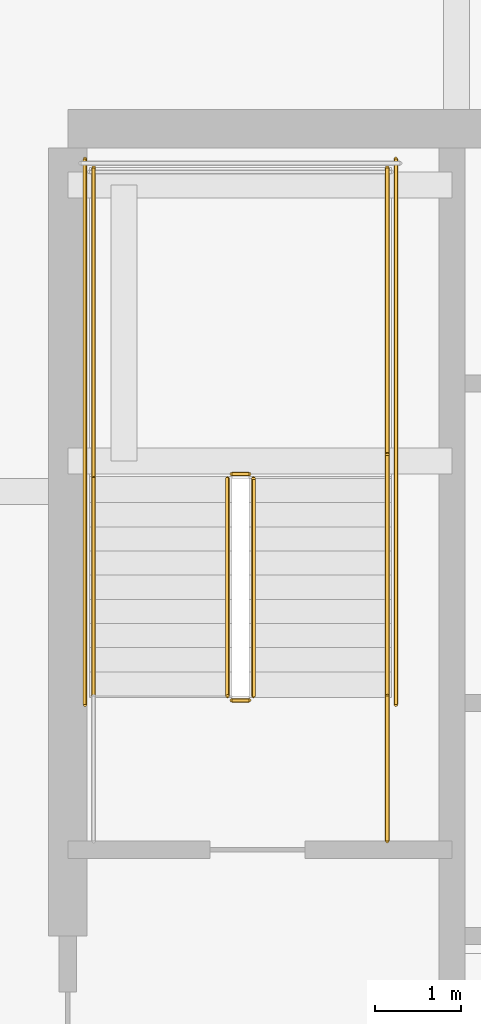
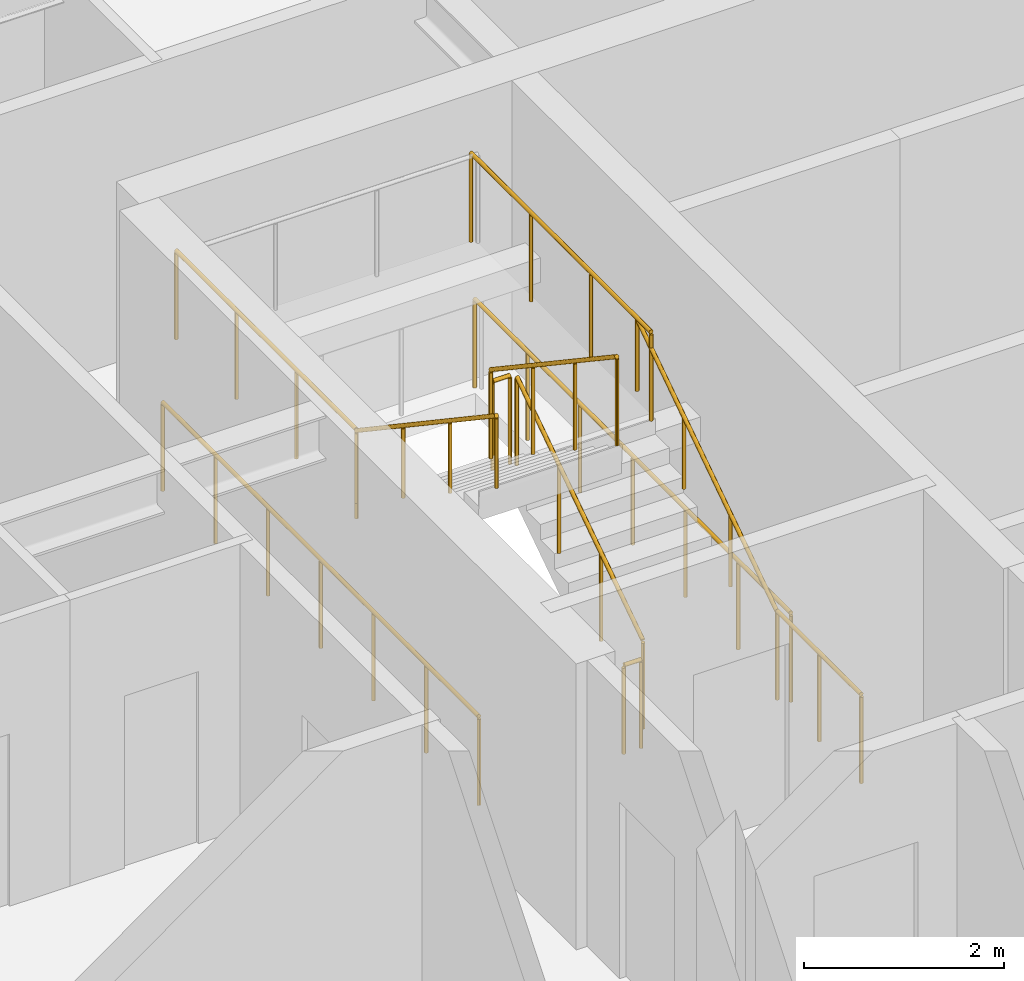
# One storey, part 35 of 38: 11 railings.
"""IFC4 building model written with IfcOpenShell, lengths in metres."""

from ifc_helpers import new_model, si_unit, direction, frame, origin, origin_2d, place, context, subcontext, project, spatial, circle, extrude, material, type_object, element, save


model = new_model("IFC4")

# Units and contexts
model_context = context("Model", 3, precision=1e-05, world=origin(), true_north=direction((0.0, 1.0)))
body_context = subcontext(model_context, "Body", "Model", "MODEL_VIEW")
ifc_project = project(units=[si_unit("LENGTHUNIT", "METRE"), si_unit("AREAUNIT", "SQUARE_METRE"), si_unit("VOLUMEUNIT", "CUBIC_METRE"), si_unit("PLANEANGLEUNIT", "RADIAN"), si_unit("MASSUNIT", "GRAM", prefix="KILO")], contexts=[model_context])

# Site, building, storey
site_placement = place(None, origin())
site = spatial("IfcSite", under=ifc_project, at=site_placement, CompositionType="ELEMENT")
building_placement = place(site_placement, origin())
building = spatial("IfcBuilding", under=site, at=building_placement, Name="Serunith Strait Residences", CompositionType="ELEMENT")
storey_placement = place(building_placement, frame((0.0, 0.0, 67.949951171875)))
storey = spatial("IfcBuildingStorey", under=building, at=storey_placement, Name="L16", CompositionType="ELEMENT", Elevation=67.949951171875)

# Railings
ifc_material = material(Name="Brushed stainless steel 316L", Category="steel")
railing_type_1 = type_object("IfcRailingType", Name="RLG-STAIR-GUARD", PredefinedType="BALUSTRADE", material=ifc_material)
railing_1_placement = place(storey_placement, frame((25.550048828125, 27.030029296875, 0.1875)))
element("IfcRailing", 1, at=railing_1_placement, inside=storey, type_object=railing_type_1, Name="L16 ST-1 stair guard 1", PredefinedType="BALUSTRADE", context=body_context, shape_type="SweptSolid", body=[
    extrude(circle(Radius=0.02392578125, at=origin_2d()), frame((0.0, 0.001708984375, 1.0771484375), z_axis=(0.0, 0.830909170722, 0.55640807867), x_axis=(-1.0, 0.0, 0.0)), (0.0, 0.0, 1.0), 3.02880859375),
    extrude(circle(Radius=0.02099609375, at=origin_2d()), origin(), (0.0, 0.0, 1.0), 1.050048828125),
    extrude(circle(Radius=0.02099609375, at=origin_2d()), frame((0.0, 0.840087890625, 0.5625)), (0.0, 0.0, 1.0), 1.050048828125),
    extrude(circle(Radius=0.02099609375, at=origin_2d()), frame((0.0, 1.679931640625, 1.125)), (0.0, 0.0, 1.0), 1.050048828125),
    extrude(circle(Radius=0.02099609375, at=origin_2d()), frame((0.0, 2.52001953125, 1.6875)), (0.0, 0.0, 1.0), 1.050048828125),
])
railing_2_placement = place(storey_placement, frame((25.5, 29.60009765625, 1.875)))
element("IfcRailing", 2, at=railing_2_placement, inside=storey, type_object=railing_type_1, Name="L16 ST-1 stair guard 2", PredefinedType="BALUSTRADE", context=body_context, shape_type="SweptSolid", body=[
    extrude(circle(Radius=0.02392578125, at=origin_2d()), frame((-0.001953125, 0.0, 1.076171875), z_axis=(-1.0, 0.0, 0.0), x_axis=(0.0, -1.0, 0.0)), (0.0, 0.0, 1.0), 0.196044921875),
    extrude(circle(Radius=0.02099609375, at=origin_2d()), origin(), (0.0, 0.0, 1.0), 1.050048828125),
    extrude(circle(Radius=0.02099609375, at=origin_2d()), frame((-0.199951171875, 0.0, 0.0)), (0.0, 0.0, 1.0), 1.050048828125),
])
for number, where, name in (
    (3, (27.10009765625, 29.550048828125, 1.875), "L16 ST-1 stair guard 3"),
    (4, (23.699951171875, 29.550048828125, 1.875), "L16 ST-1 stair guard 4"),
):
    element("IfcRailing", number, at=place(storey_placement, frame(where)), inside=storey, type_object=railing_type_1, Name=name, PredefinedType="BALUSTRADE", context=body_context, shape_type="SweptSolid", body=[
        extrude(circle(Radius=0.02392578125, at=origin_2d()), frame((0.0, 0.001953125, 1.076171875), z_axis=(0.0, 1.0, 0.0), x_axis=(-1.0, 0.0, 0.0)), (0.0, 0.0, 1.0), 3.595947265625),
        extrude(circle(Radius=0.02099609375, at=origin_2d()), origin(), (0.0, 0.0, 1.0), 1.050048828125),
        extrude(circle(Radius=0.02099609375, at=origin_2d()), frame((0.0, 1.199951171875, 0.0)), (0.0, 0.0, 1.0), 1.050048828125),
        extrude(circle(Radius=0.02099609375, at=origin_2d()), frame((0.0, 2.39990234375, 0.0)), (0.0, 0.0, 1.0), 1.050048828125),
        extrude(circle(Radius=0.02099609375, at=origin_2d()), frame((0.0, 3.599853515625, 0.0)), (0.0, 0.0, 1.0), 1.050048828125),
    ])
railing_3_placement = place(storey_placement, frame((25.25, 29.550048828125, 2.0625)))
element("IfcRailing", 5, at=railing_3_placement, inside=storey, type_object=railing_type_1, Name="L16 ST-1 stair guard 6", PredefinedType="BALUSTRADE", context=body_context, shape_type="SweptSolid", body=[
    extrude(circle(Radius=0.02392578125, at=origin_2d()), frame((0.0, -0.001708984375, 1.0771484375), z_axis=(0.0, -0.830909170722, 0.55640807867), x_axis=(1.0, 0.0, 0.0)), (0.0, 0.0, 1.0), 3.02880859375),
    extrude(circle(Radius=0.02099609375, at=origin_2d()), origin(), (0.0, 0.0, 1.0), 1.050048828125),
    extrude(circle(Radius=0.02099609375, at=origin_2d()), frame((0.0, -0.840087890625, 0.5625)), (0.0, 0.0, 1.0), 1.050048828125),
    extrude(circle(Radius=0.02099609375, at=origin_2d()), frame((0.0, -1.679931640625, 1.125)), (0.0, 0.0, 1.0), 1.050048828125),
    extrude(circle(Radius=0.02099609375, at=origin_2d()), frame((0.0, -2.52001953125, 1.6875)), (0.0, 0.0, 1.0), 1.050048828125),
])
railing_4_placement = place(storey_placement, frame((25.5, 26.97998046875, 0.0)))
element("IfcRailing", 6, at=railing_4_placement, inside=storey, type_object=railing_type_1, Name="L16 ST-1 stair guard 7", PredefinedType="BALUSTRADE", context=body_context, shape_type="SweptSolid", body=[
    extrude(circle(Radius=0.02392578125, at=origin_2d()), frame((-0.001953125, 0.0, 1.076171875), z_axis=(-1.0, 0.0, 0.0), x_axis=(0.0, -1.0, 0.0)), (0.0, 0.0, 1.0), 0.196044921875),
    extrude(circle(Radius=0.02099609375, at=origin_2d()), origin(), (0.0, 0.0, 1.0), 1.050048828125),
    extrude(circle(Radius=0.02099609375, at=origin_2d()), frame((-0.199951171875, 0.0, 0.0)), (0.0, 0.0, 1.0), 1.050048828125),
])
railing_5_placement = place(storey_placement, frame((27.10009765625, 25.35009765625, 0.0)))
element("IfcRailing", 7, at=railing_5_placement, inside=storey, type_object=railing_type_1, Name="L16 ST-1 stair guard 8", PredefinedType="BALUSTRADE", context=body_context, shape_type="SweptSolid", body=[
    extrude(circle(Radius=0.02392578125, at=origin_2d()), frame((0.0, 0.001953125, 1.076171875), z_axis=(0.0, 1.0, 0.0), x_axis=(-1.0, 0.0, 0.0)), (0.0, 0.0, 1.0), 1.676025390625),
    extrude(circle(Radius=0.02099609375, at=origin_2d()), origin(), (0.0, 0.0, 1.0), 1.050048828125),
    extrude(circle(Radius=0.02099609375, at=origin_2d()), frame((0.0, 0.83984375, 0.0)), (0.0, 0.0, 1.0), 1.050048828125),
    extrude(circle(Radius=0.02099609375, at=origin_2d()), frame((0.0, 1.679931640625, 0.0)), (0.0, 0.0, 1.0), 1.050048828125),
])
for number, where, name in (
    (8, (27.199951171875, 26.929931640625, 0.0), "L16 ST-1 stair guard 10"),
    (9, (23.60009765625, 26.929931640625, 0.0), "L16 ST-1 stair guard 11"),
):
    element("IfcRailing", number, at=place(storey_placement, frame(where)), inside=storey, type_object=railing_type_1, Name=name, PredefinedType="BALUSTRADE", context=body_context, shape_type="SweptSolid", body=[
        extrude(circle(Radius=0.02392578125, at=origin_2d()), frame((0.0, 0.001953125, 1.076171875), z_axis=(0.0, 1.0, 0.0), x_axis=(-1.0, 0.0, 0.0)), (0.0, 0.0, 1.0), 6.316162109375),
        extrude(circle(Radius=0.02099609375, at=origin_2d()), origin(), (0.0, 0.0, 1.0), 1.050048828125),
        extrude(circle(Radius=0.02099609375, at=origin_2d()), frame((0.0, 1.05322265625, 0.0)), (0.0, 0.0, 1.0), 1.050048828125),
        extrude(circle(Radius=0.02099609375, at=origin_2d()), frame((0.0, 2.106689453125, 0.0)), (0.0, 0.0, 1.0), 1.050048828125),
        extrude(circle(Radius=0.02099609375, at=origin_2d()), frame((0.0, 3.16015625, 0.0)), (0.0, 0.0, 1.0), 1.050048828125),
        extrude(circle(Radius=0.02099609375, at=origin_2d()), frame((0.0, 4.21337890625, 0.0)), (0.0, 0.0, 1.0), 1.050048828125),
        extrude(circle(Radius=0.02099609375, at=origin_2d()), frame((0.0, 5.2666015625, 0.0)), (0.0, 0.0, 1.0), 1.050048828125),
        extrude(circle(Radius=0.02099609375, at=origin_2d()), frame((0.0, 6.320068359375, 0.0)), (0.0, 0.0, 1.0), 1.050048828125),
    ])
railing_type_2 = type_object("IfcRailingType", Name="RLG-STAIR-HR", PredefinedType="HANDRAIL", material=ifc_material)
railing_6_placement = place(storey_placement, frame((27.10009765625, 27.030029296875, 0.1875)))
element("IfcRailing", 10, at=railing_6_placement, inside=storey, type_object=railing_type_2, Name="L16 ST-1 stair handrail 1", PredefinedType="HANDRAIL", context=body_context, shape_type="SweptSolid", body=[
    extrude(circle(Radius=0.02392578125, at=origin_2d()), frame((0.0, 0.001708984375, 0.876953125), z_axis=(0.0, 0.830208209119, 0.557453432594), x_axis=(-1.0, 0.0, 0.0)), (0.0, 0.0, 1.0), 3.36865234375),
    extrude(circle(Radius=0.02099609375, at=origin_2d()), origin(), (0.0, 0.0, 1.0), 0.849853515625),
    extrude(circle(Radius=0.02099609375, at=origin_2d()), frame((0.0, 0.933349609375, 0.626708984375)), (0.0, 0.0, 1.0), 0.849853515625),
    extrude(circle(Radius=0.02099609375, at=origin_2d()), frame((0.0, 1.86669921875, 1.25341796875)), (0.0, 0.0, 1.0), 0.849853515625),
    extrude(circle(Radius=0.02099609375, at=origin_2d()), frame((0.0, 2.800048828125, 1.880126953125)), (0.0, 0.0, 1.0), 0.849853515625),
])
railing_7_placement = place(storey_placement, frame((23.699951171875, 29.550048828125, 2.0625)))
element("IfcRailing", 11, at=railing_7_placement, inside=storey, type_object=railing_type_2, Name="L16 ST-1 stair handrail 2", PredefinedType="HANDRAIL", context=body_context, shape_type="SweptSolid", body=[
    extrude(circle(Radius=0.02392578125, at=origin_2d()), frame((0.0, -0.001708984375, 0.876953125), z_axis=(0.0, -0.830208209119, 0.557453432594), x_axis=(1.0, 0.0, 0.0)), (0.0, 0.0, 1.0), 3.36865234375),
    extrude(circle(Radius=0.02099609375, at=origin_2d()), origin(), (0.0, 0.0, 1.0), 0.849853515625),
    extrude(circle(Radius=0.02099609375, at=origin_2d()), frame((0.0, -0.933349609375, 0.626708984375)), (0.0, 0.0, 1.0), 0.849853515625),
    extrude(circle(Radius=0.02099609375, at=origin_2d()), frame((0.0, -1.86669921875, 1.25341796875)), (0.0, 0.0, 1.0), 0.849853515625),
    extrude(circle(Radius=0.02099609375, at=origin_2d()), frame((0.0, -2.800048828125, 1.880126953125)), (0.0, 0.0, 1.0), 0.849853515625),
])

save(model, "model.ifc")
